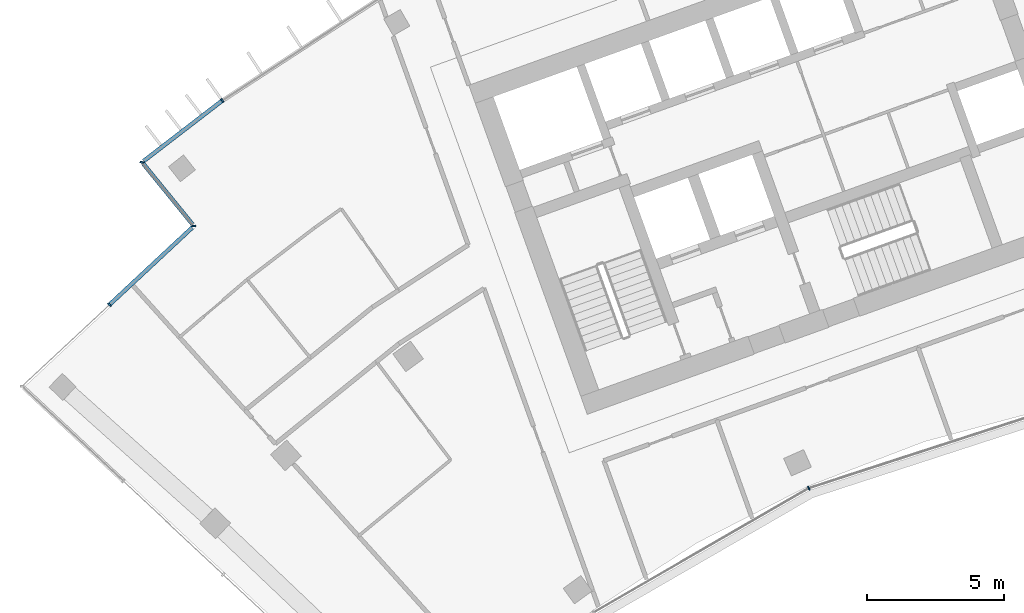
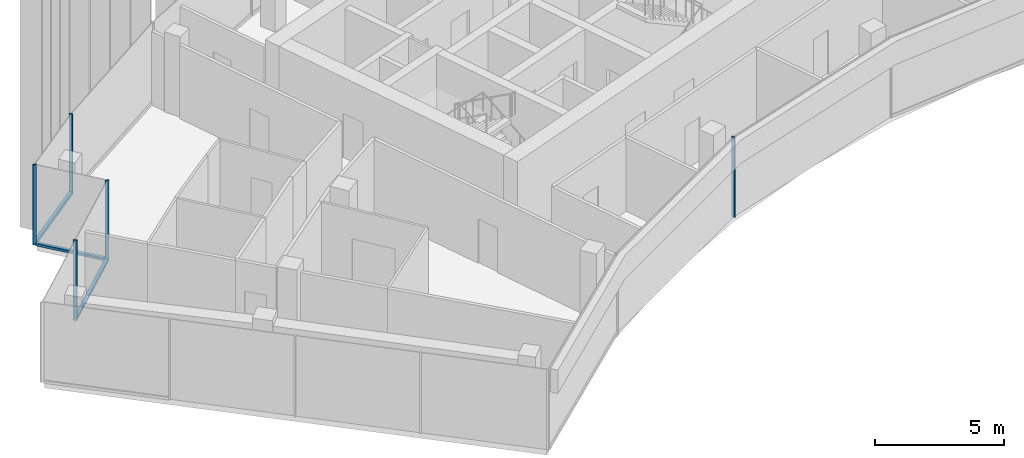
# One storey, part 3 of 19: 8 members, 4 elements without a shape of their own.
"""IFC4 building model written with IfcOpenShell, lengths in metres."""

from ifc_helpers import new_model, si_unit, direction, frame, origin, origin_2d, place, context, subcontext, project, spatial, rectangle, extrude, material, layer, layer_set, material_profile, profile_set, type_object, element, aggregate, save


model = new_model("IFC4")

# Units and contexts
model_context = context("Model", 3, precision=1e-05, world=origin(), true_north=direction((0.0, 1.0)))
body_context = subcontext(model_context, "Body", "Model", "MODEL_VIEW")
ifc_project = project(units=[si_unit("LENGTHUNIT", "METRE"), si_unit("AREAUNIT", "SQUARE_METRE"), si_unit("VOLUMEUNIT", "CUBIC_METRE"), si_unit("PLANEANGLEUNIT", "RADIAN"), si_unit("MASSUNIT", "GRAM", prefix="KILO")], contexts=[model_context])

# Site, building, storey
site_placement = place(None, origin())
site = spatial("IfcSite", under=ifc_project, at=site_placement, CompositionType="ELEMENT")
building_placement = place(site_placement, origin())
building = spatial("IfcBuilding", under=site, at=building_placement, Name="Stone Belt Terrace Tower", CompositionType="ELEMENT")
storey_placement = place(building_placement, frame((0.0, 0.0, 292.199951171875)))
storey = spatial("IfcBuildingStorey", under=building, at=storey_placement, Name="L71", CompositionType="ELEMENT", Elevation=292.199951171875)

# Curtain wall, members
ifc_material = material(Name="Aluminium 6063-T6 anodised frame", Category="aluminium")
ifc_layer_1 = layer(ifc_material, 0.14990234375)
ifc_layer_set_1 = layer_set([ifc_layer_1], Name="CW-A unitised convex-face curtain wall")
curtain_wall_type_1 = type_object("IfcCurtainWallType", Name="CW-A unitised convex-face curtain wall", PredefinedType="NOTDEFINED", material=ifc_layer_set_1)
curtain_wall_1_placement = place(storey_placement, origin())
curtain_wall_1 = element("IfcCurtainWall", 1, at=curtain_wall_1_placement, inside=storey, type_object=curtain_wall_type_1, Name="CW-A convex face L71", PredefinedType="NOTDEFINED")
ifc_material_profile_1 = material_profile(ifc_material, rectangle(XDim=0.14990234375, YDim=0.06005859375, at=origin_2d()), Name="Aluminium 6063-T6 60x150")
ifc_profile_set_1 = profile_set([ifc_material_profile_1], Name="Aluminium 6063-T6 anodised frame")
member_type_1 = type_object("IfcMemberType", Name="CW-A mullion 60 x 150", PredefinedType="MULLION", material=ifc_profile_set_1)
member_1_placement = place(storey_placement, frame((-39.131103515625, 53.86083984375, 0.0), z_axis=(0.0, 0.0, 1.0), x_axis=(0.577587125789, -0.816329046477, 0.0)))
member_1 = element("IfcMember", 2, at=member_1_placement, type_object=member_type_1, Name="CW-A mullion 14", PredefinedType="MULLION", context=body_context, shape_type="SweptSolid", body=[
    extrude(rectangle(XDim=0.14990234375, YDim=0.06005859375, at=origin_2d()), origin(), (0.0, 0.0, 1.0), 3.800048828125),
])
ifc_material_profile_2 = material_profile(ifc_material, rectangle(XDim=0.14990234375, YDim=0.139892578125, at=origin_2d()), Name="Aluminium 6063-T6 150x140")
ifc_profile_set_2 = profile_set([ifc_material_profile_2], Name="Aluminium 6063-T6 anodised frame")
member_type_2 = type_object("IfcMemberType", Name="CW-A transom 140 x 150", PredefinedType="USERDEFINED", material=ifc_profile_set_2)
member_2_placement = place(storey_placement, frame((-39.1572265625, 53.8408203125, 0.070068359375), z_axis=(-0.79269461464, -0.609618936648, 0.0), x_axis=(0.609618936648, -0.79269461464, 0.0)))
member_2 = element("IfcMember", 3, at=member_2_placement, type_object=member_type_2, Name="CW-A transom 14.1", ObjectType="TRANSOM", PredefinedType="USERDEFINED", context=body_context, shape_type="SweptSolid", body=[
    extrude(rectangle(XDim=0.14990234375, YDim=0.139892578125, at=origin_2d()), origin(), (0.0, 0.0, 1.0), 3.597900390625),
])
aggregate(curtain_wall_1, [member_1, member_2])

# Curtain wall, member
ifc_layer_2 = layer(ifc_material, 0.14990234375)
ifc_layer_set_2 = layer_set([ifc_layer_2], Name="CW-B unitised concave-face curtain wall")
curtain_wall_type_2 = type_object("IfcCurtainWallType", Name="CW-B unitised concave-face curtain wall", PredefinedType="NOTDEFINED", material=ifc_layer_set_2)
curtain_wall_2_placement = place(storey_placement, origin())
curtain_wall_2 = element("IfcCurtainWall", 4, at=curtain_wall_2_placement, inside=storey, type_object=curtain_wall_type_2, Name="CW-B concave face L71", PredefinedType="NOTDEFINED")
ifc_material_profile_3 = material_profile(ifc_material, rectangle(XDim=0.14990234375, YDim=0.050048828125, at=origin_2d()), Name="Aluminium 6063-T6 50x150")
ifc_profile_set_3 = profile_set([ifc_material_profile_3], Name="Aluminium 6063-T6 anodised frame")
member_type_3 = type_object("IfcMemberType", Name="CW-B mullion 50 x 150", PredefinedType="MULLION", material=ifc_profile_set_3)
member_3_placement = place(storey_placement, frame((-17.662353515625, 39.67041015625, 0.0), z_axis=(0.0, 0.0, 1.0), x_axis=(-0.406736643076, 0.913545457643, 0.0)))
member_3 = element("IfcMember", 5, at=member_3_placement, type_object=member_type_3, Name="CW-B mullion 3", PredefinedType="MULLION", context=body_context, shape_type="SweptSolid", body=[
    extrude(rectangle(XDim=0.14990234375, YDim=0.050048828125, at=origin_2d()), origin(), (0.0, 0.0, 1.0), 3.800048828125),
])
aggregate(curtain_wall_2, [member_3])

ifc_layer_3 = layer(ifc_material, 0.14990234375)
ifc_layer_set_3 = layer_set([ifc_layer_3], Name="CW-C stick curtain wall, horn ends and notches")
curtain_wall_type_3 = type_object("IfcCurtainWallType", Name="CW-C stick curtain wall, horn ends and notches", PredefinedType="NOTDEFINED", material=ifc_layer_set_3)
curtain_wall_3_placement = place(storey_placement, origin())
curtain_wall_3 = element("IfcCurtainWall", 6, at=curtain_wall_3_placement, inside=storey, type_object=curtain_wall_type_3, Name="CW-C notch face L71", PredefinedType="NOTDEFINED")
ifc_material_profile_4 = material_profile(ifc_material, rectangle(XDim=0.14990234375, YDim=0.06005859375, at=origin_2d()), Name="Aluminium 6063-T6 60x150")
ifc_profile_set_4 = profile_set([ifc_material_profile_4], Name="Aluminium 6063-T6 anodised frame")
member_type_4 = type_object("IfcMemberType", Name="CW-C mullion 60 x 150", PredefinedType="MULLION", material=ifc_profile_set_4)
member_4_placement = place(storey_placement, frame((-42.068359375, 51.60205078125, 0.0), z_axis=(0.0, 0.0, 1.0), x_axis=(0.993258004644, -0.115924700604, 0.0)))
member_4 = element("IfcMember", 7, at=member_4_placement, type_object=member_type_4, Name="CW-C mullion 1", PredefinedType="MULLION", context=body_context, shape_type="SweptSolid", body=[
    extrude(rectangle(XDim=0.14990234375, YDim=0.06005859375, at=origin_2d()), origin(), (0.0, 0.0, 1.0), 3.800048828125),
])

# Curtain wall, members
curtain_wall_4_placement = place(storey_placement, origin())
curtain_wall_4 = element("IfcCurtainWall", 8, at=curtain_wall_4_placement, inside=storey, type_object=curtain_wall_type_3, Name="CW-C notch face L71", PredefinedType="NOTDEFINED")
member_5_placement = place(storey_placement, frame((-40.1708984375, 49.269287109375, 0.0), z_axis=(0.0, 0.0, 1.0), x_axis=(0.997639702696, -0.068666029474, 0.0)))
member_5 = element("IfcMember", 9, at=member_5_placement, type_object=member_type_4, Name="CW-C mullion 1", PredefinedType="MULLION", context=body_context, shape_type="SweptSolid", body=[
    extrude(rectangle(XDim=0.14990234375, YDim=0.06005859375, at=origin_2d()), origin(), (0.0, 0.0, 1.0), 3.800048828125),
])
member_6_placement = place(storey_placement, frame((-43.260009765625, 46.388671875, 0.0), z_axis=(0.0, 0.0, 1.0), x_axis=(0.682013767261, -0.731339333871, 0.0)))
member_6 = element("IfcMember", 10, at=member_6_placement, type_object=member_type_4, Name="CW-C mullion 2", PredefinedType="MULLION", context=body_context, shape_type="SweptSolid", body=[
    extrude(rectangle(XDim=0.14990234375, YDim=0.06005859375, at=origin_2d()), origin(), (0.0, 0.0, 1.0), 3.800048828125),
])

# Member
ifc_material_profile_5 = material_profile(ifc_material, rectangle(XDim=0.14990234375, YDim=0.1201171875, at=origin_2d()), Name="Aluminium 6063-T6 150x120")
ifc_profile_set_5 = profile_set([ifc_material_profile_5], Name="Aluminium 6063-T6 anodised frame")
member_type_5 = type_object("IfcMemberType", Name="CW-C transom 120 x 150", PredefinedType="USERDEFINED", material=ifc_profile_set_5)
member_7_placement = place(storey_placement, frame((-42.021240234375, 51.5439453125, 0.06005859375), z_axis=(0.631026504781, -0.775761271439, 0.0), x_axis=(0.775761271439, 0.631026504781, 0.0)))
member_7 = element("IfcMember", 11, at=member_7_placement, type_object=member_type_5, Name="CW-C transom 1.1", ObjectType="TRANSOM", PredefinedType="USERDEFINED", context=body_context, shape_type="SweptSolid", body=[
    extrude(rectangle(XDim=0.14990234375, YDim=0.1201171875, at=origin_2d()), origin(), (0.0, 0.0, 1.0), 2.859130859375),
])

aggregate(curtain_wall_3, [member_4, member_7])

member_8_placement = place(storey_placement, frame((-40.224365234375, 49.21923828125, 0.06005859375), z_axis=(-0.731382255625, -0.681967738355, 0.0), x_axis=(0.681967738355, -0.731382255625, 0.0)))
member_8 = element("IfcMember", 12, at=member_8_placement, type_object=member_type_5, Name="CW-C transom 1.1", ObjectType="TRANSOM", PredefinedType="USERDEFINED", context=body_context, shape_type="SweptSolid", body=[
    extrude(rectangle(XDim=0.14990234375, YDim=0.1201171875, at=origin_2d()), origin(), (0.0, 0.0, 1.0), 4.12060546875),
])

aggregate(curtain_wall_4, [member_5, member_6, member_8])

save(model, "model.ifc")
